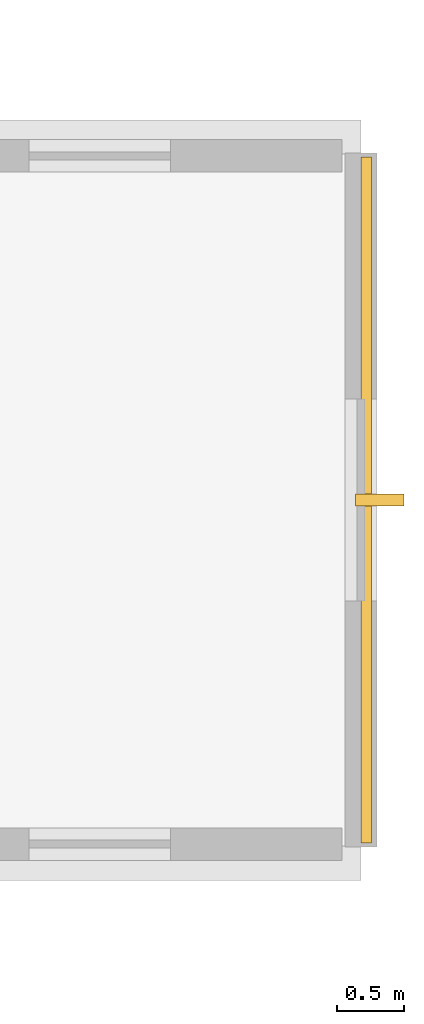
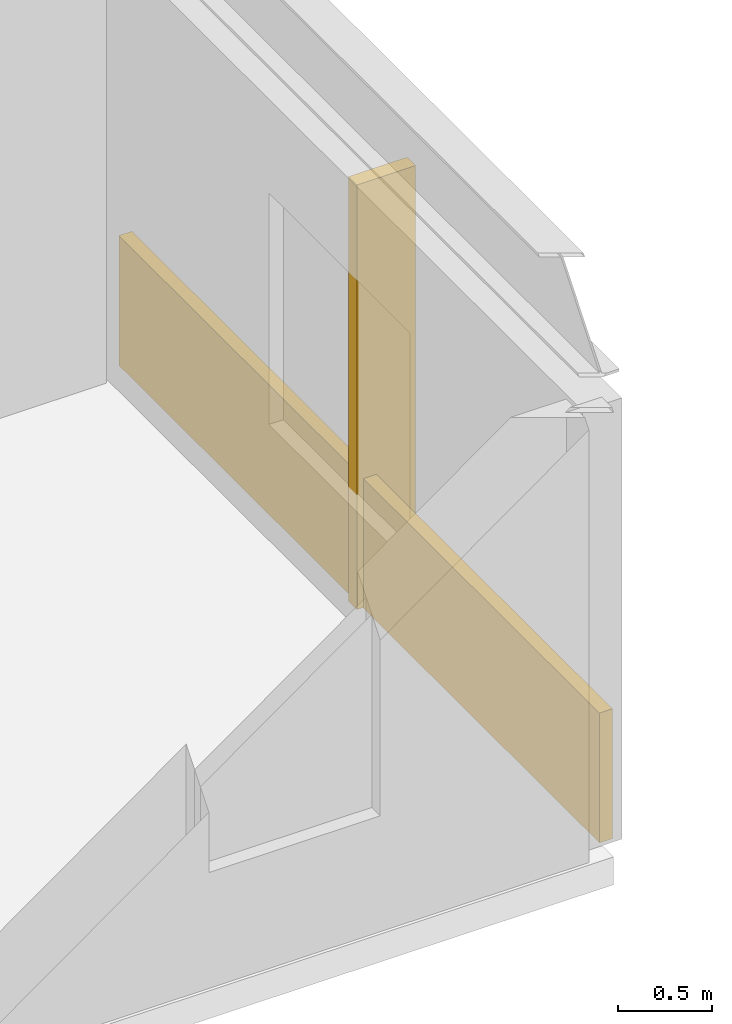
# One storey, part 28 of 29: 1 covering, 1 shading device.
"""IFC4 building model written with IfcOpenShell, lengths in metres."""

from ifc_helpers import new_model, si_unit, direction, frame, origin, origin_2d, place, context, subcontext, project, spatial, rectangle, extrude, material, layer, layer_set, type_object, element, save


model = new_model("IFC4")

# Units and contexts
model_context = context("Model", 3, precision=1e-05, world=origin(), true_north=direction((0.0, 1.0)))
body_context = subcontext(model_context, "Body", "Model", "MODEL_VIEW")
ifc_project = project(units=[si_unit("LENGTHUNIT", "METRE"), si_unit("AREAUNIT", "SQUARE_METRE"), si_unit("VOLUMEUNIT", "CUBIC_METRE"), si_unit("PLANEANGLEUNIT", "RADIAN"), si_unit("MASSUNIT", "GRAM", prefix="KILO")], contexts=[model_context])

# Site, building, storey
site_placement = place(None, origin())
site = spatial("IfcSite", under=ifc_project, at=site_placement, CompositionType="ELEMENT")
building_placement = place(site_placement, origin())
building = spatial("IfcBuilding", under=site, at=building_placement, Name="Surkhivell Harbour Commons", CompositionType="ELEMENT")
storey_placement = place(building_placement, frame((0.0, 0.0, 90.75)))
storey = spatial("IfcBuildingStorey", under=building, at=storey_placement, Name="L23", CompositionType="ELEMENT", Elevation=90.75)

# Covering
ifc_material_1 = material(Name="Saffron-gold enamelled aluminium cassette panel", Category="aluminium")
ifc_layer = layer(ifc_material_1, 0.070068359375)
ifc_layer_set = layer_set([ifc_layer], Name="Saffron-gold enamelled aluminium cassette panel")
covering_type = type_object("IfcCoveringType", Name="COV-CLAD-SAF", PredefinedType="CLADDING", material=ifc_layer_set)
covering_placement = place(storey_placement, frame((25.93994140625, 8.10009765625, 0.0), z_axis=(0.0, 0.0, 1.0), x_axis=(1.0, 0.0, 0.0)))
element("IfcCovering", 1, at=covering_placement, inside=storey, type_object=covering_type, Name="L23 Coloured-Panel Box Spandrel Cassette 01", PredefinedType="CLADDING", context=body_context, shape_type="SweptSolid", body=[
    extrude(rectangle(XDim=0.080078125, YDim=5.10009765625, at=origin_2d()), origin(), (0.0, 0.0, 1.0), 0.840087890625),
])

# Shading device
ifc_material_2 = material(Name="Anodised pale-metal aluminium solar fin", Category="aluminium")
shading_device_type = type_object("IfcShadingDeviceType", Name="SHD-FIN-VERT", PredefinedType="USERDEFINED", material=ifc_material_2)
shading_device_placement = place(storey_placement, frame((26.0400390625, 8.10009765625, 0.0048828125), z_axis=(0.0, 0.0, 1.0), x_axis=(1.0, 0.0, 0.0)))
element("IfcShadingDevice", 2, at=shading_device_placement, inside=storey, type_object=shading_device_type, Name="L23 Coloured-Box Solar Fin 01", ObjectType="FIN", PredefinedType="USERDEFINED", context=body_context, shape_type="SweptSolid", body=[
    extrude(rectangle(XDim=0.360107421875, YDim=0.090087890625, at=origin_2d()), origin(), (0.0, 0.0, 1.0), 2.75),
])

save(model, "model.ifc")
